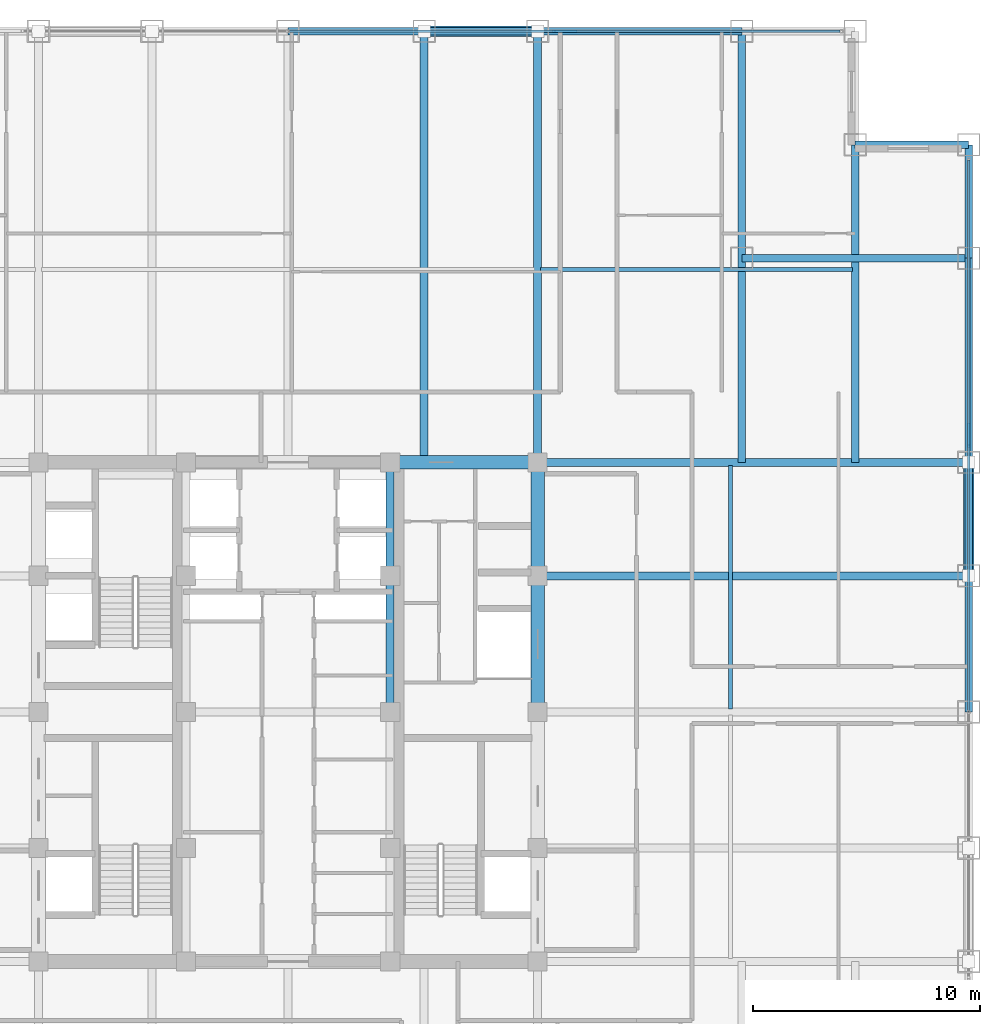
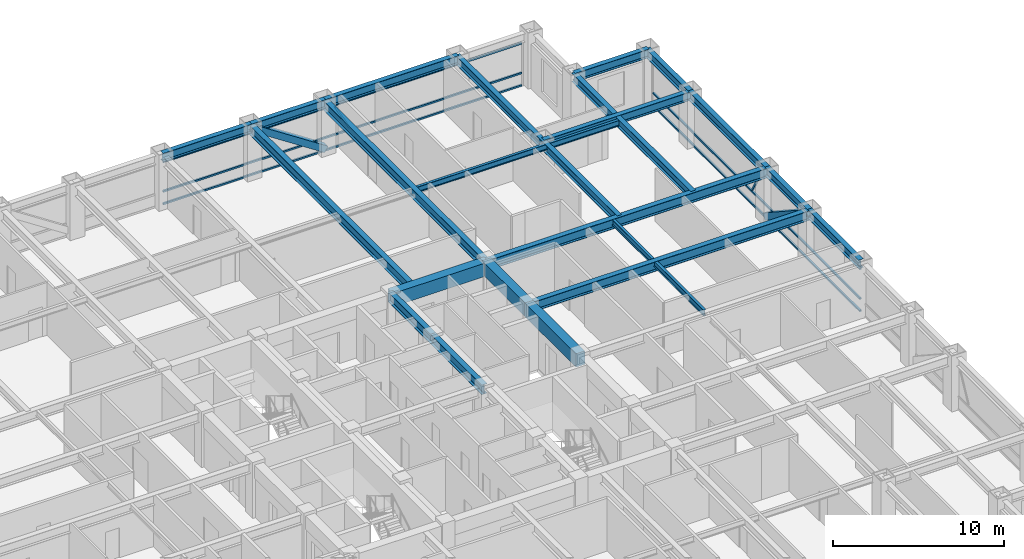
# One storey, part 17 of 25: 22 beams, 10 members, 2 elements without a shape of their own.
"""IFC4 building model written with IfcOpenShell, lengths in metres."""

from ifc_helpers import new_model, si_unit, direction, frame, origin, origin_2d, place, context, subcontext, project, spatial, rectangle, hollow_rectangle, i_section, extrude, source, transform, mapped, material, material_profile, profile_set, type_object, element, aggregate, save


model = new_model("IFC4")

# Units and contexts
model_context = context("Model", 3, precision=1e-05, world=origin(), true_north=direction((0.0, 1.0)))
body_context = subcontext(model_context, "Body", "Model", "MODEL_VIEW")
ifc_project = project(units=[si_unit("LENGTHUNIT", "METRE"), si_unit("AREAUNIT", "SQUARE_METRE"), si_unit("VOLUMEUNIT", "CUBIC_METRE"), si_unit("PLANEANGLEUNIT", "RADIAN"), si_unit("MASSUNIT", "GRAM", prefix="KILO")], contexts=[model_context])

# Site, building, storey
site_placement = place(None, origin())
site = spatial("IfcSite", under=ifc_project, at=site_placement, CompositionType="ELEMENT")
building_placement = place(site_placement, origin())
building = spatial("IfcBuilding", under=site, at=building_placement, Name="Khorayat Bourse Tower", CompositionType="ELEMENT")
storey_placement = place(building_placement, frame((0.0, 0.0, 223.10009765625)))
storey = spatial("IfcBuildingStorey", under=building, at=storey_placement, Name="L52", CompositionType="ELEMENT", Elevation=223.10009765625)

# Beams
ifc_material_1 = material(Name="Steel ASTM A992 Grade 50", Category="steel")
ifc_material_profile_1 = material_profile(ifc_material_1, i_section(OverallWidth=0.35498046875, OverallDepth=0.695068359375, WebThickness=0.015380859375, FlangeThickness=0.02490234375, FilletRadius=0.01806640625, at=origin_2d()), Name="W690X217")
ifc_profile_set_1 = profile_set([ifc_material_profile_1], Name="Steel ASTM A992 Grade 50")
beam_type_1 = type_object("IfcBeamType", Name="BM-GIRD-690", PredefinedType="BEAM", material=ifc_profile_set_1)
shared_shape_1 = source(origin(), body_context, "Body", "SweptSolid", [
    extrude(i_section(OverallWidth=0.35498046875, OverallDepth=0.695068359375, WebThickness=0.015380859375, FlangeThickness=0.02490234375, FilletRadius=0.01806640625, at=origin_2d()), origin(), (0.0, 0.0, 1.0), 5.0),
])
beam_1_placement = place(storey_placement, frame((4.5, 6.0, 3.432373046875), z_axis=(0.0, 1.0, 0.0), x_axis=(-1.0, 0.0, 0.0)))
element("IfcBeam", 1, at=beam_1_placement, inside=storey, type_object=beam_type_1, Name="L52 BM-GIRD-690 BM-L52-CRX-12", PredefinedType="BEAM", context=body_context, shape_type="MappedRepresentation", body=[
    mapped(shared_shape_1, transform((0.0, 0.0, 0.0), scale=1.0)),
])
shared_shape_2 = source(origin(), body_context, "Body", "SweptSolid", [
    extrude(i_section(OverallWidth=0.35498046875, OverallDepth=0.695068359375, WebThickness=0.015380859375, FlangeThickness=0.02490234375, FilletRadius=0.01806640625, at=origin_2d()), origin(), (0.0, 0.0, 1.0), 6.0),
])
beam_2_placement = place(storey_placement, frame((4.5, 0.0, 3.432373046875), z_axis=(0.0, 1.0, 0.0), x_axis=(-1.0, 0.0, 0.0)))
element("IfcBeam", 2, at=beam_2_placement, inside=storey, type_object=beam_type_1, Name="L52 BM-GIRD-690 BM-L52-CRX-11", PredefinedType="BEAM", context=body_context, shape_type="MappedRepresentation", body=[
    mapped(shared_shape_2, transform((0.0, 0.0, 0.0), scale=1.0)),
])
ifc_material_profile_2 = material_profile(ifc_material_1, i_section(OverallWidth=0.324951171875, OverallDepth=0.615966796875, WebThickness=0.013916015625, FlangeThickness=0.021484375, FilletRadius=0.01611328125, at=origin_2d()), Name="W610X174")
ifc_profile_set_2 = profile_set([ifc_material_profile_2], Name="Steel ASTM A992 Grade 50")
beam_type_2 = type_object("IfcBeamType", Name="BM-GIRD-610", PredefinedType="BEAM", material=ifc_profile_set_2)
shared_shape_3 = source(origin(), body_context, "Body", "SweptSolid", [
    extrude(i_section(OverallWidth=0.324951171875, OverallDepth=0.615966796875, WebThickness=0.013916015625, FlangeThickness=0.021484375, FilletRadius=0.01611328125, at=origin_2d()), origin(), (0.0, 0.0, 1.0), 19.0),
])
beam_3_placement = place(storey_placement, frame((20.0, 11.0, 3.471923828125), z_axis=(0.0, 1.0, 0.0), x_axis=(-1.0, 0.0, 0.0)))
element("IfcBeam", 3, at=beam_3_placement, inside=storey, type_object=beam_type_2, Name="L52 BM-GIRD-610 BM-L52-CNRY-087", PredefinedType="BEAM", context=body_context, shape_type="MappedRepresentation", body=[
    mapped(shared_shape_3, transform((0.0, 0.0, 0.0), scale=1.0)),
])
shared_shape_4 = source(origin(), body_context, "Body", "SweptSolid", [
    extrude(i_section(OverallWidth=0.324951171875, OverallDepth=0.615966796875, WebThickness=0.013916015625, FlangeThickness=0.021484375, FilletRadius=0.01611328125, at=origin_2d()), origin(), (0.0, 0.0, 1.0), 10.0),
])
beam_4_placement = place(storey_placement, frame((20.0, 20.0, 3.471923828125), z_axis=(1.0, 0.0, 0.0), x_axis=(0.0, 1.0, 0.0)))
element("IfcBeam", 4, at=beam_4_placement, inside=storey, type_object=beam_type_2, Name="L52 BM-GIRD-610 BM-L52-CNRX-094", PredefinedType="BEAM", context=body_context, shape_type="MappedRepresentation", body=[
    mapped(shared_shape_4, transform((0.0, 0.0, 0.0), scale=1.0)),
])
ifc_material_profile_3 = material_profile(ifc_material_1, i_section(OverallWidth=0.180908203125, OverallDepth=0.4169921875, WebThickness=0.010986328125, FlangeThickness=0.018310546875, FilletRadius=0.011962890625, at=origin_2d()), Name="W410X85")
ifc_profile_set_3 = profile_set([ifc_material_profile_3], Name="Steel ASTM A992 Grade 50")
beam_type_3 = type_object("IfcBeamType", Name="BM-JOIST-410", PredefinedType="JOIST", material=ifc_profile_set_3)
shared_shape_5 = source(origin(), body_context, "Body", "SweptSolid", [
    extrude(i_section(OverallWidth=0.180908203125, OverallDepth=0.4169921875, WebThickness=0.010986328125, FlangeThickness=0.018310546875, FilletRadius=0.011962890625, at=origin_2d()), origin(), (0.0, 0.0, 1.0), 10.740234375),
])
beam_5_placement = place(storey_placement, frame((19.5, 0.1298828125, 3.5712890625), z_axis=(0.0, 1.0, 0.0), x_axis=(-1.0, 0.0, 0.0)))
element("IfcBeam", 5, at=beam_5_placement, inside=storey, type_object=beam_type_3, Name="L52 BM-JOIST-410 BM-L52-JSTY-105", PredefinedType="JOIST", context=body_context, shape_type="MappedRepresentation", body=[
    mapped(shared_shape_5, transform((0.0, 0.0, 0.0), scale=1.0)),
])
ifc_material_profile_4 = material_profile(ifc_material_1, i_section(OverallWidth=0.324951171875, OverallDepth=0.615966796875, WebThickness=0.013916015625, FlangeThickness=0.021484375, FilletRadius=0.01611328125, at=origin_2d()), Name="W610X174")
ifc_profile_set_4 = profile_set([ifc_material_profile_4], Name="Steel ASTM A992 Grade 50")
beam_type_4 = type_object("IfcBeamType", Name="BM-SPAN-610", PredefinedType="SPANDREL", material=ifc_profile_set_4)
shared_shape_6 = source(origin(), body_context, "Body", "SweptSolid", [
    extrude(i_section(OverallWidth=0.324951171875, OverallDepth=0.615966796875, WebThickness=0.013916015625, FlangeThickness=0.021484375, FilletRadius=0.01611328125, at=origin_2d()), origin(), (0.0, 0.0, 1.0), 9.0),
])
for number, where, z_axis, x_axis, name in (
    (6, (30.0, 11.0, 3.471923828125), (0.0, 1.0, 0.0), (-1.0, 0.0, 0.0), "L52 BM-SPAN-610 BM-L52-SPN-040"),
    (7, (11.0, 30.0, 3.471923828125), (1.0, 0.0, 0.0), (0.0, 1.0, 0.0), "L52 BM-SPAN-610 BM-L52-SPN-045"),
):
    element("IfcBeam", number, at=place(storey_placement, frame(where, z_axis=z_axis, x_axis=x_axis)), inside=storey, type_object=beam_type_4, Name=name, PredefinedType="SPANDREL", context=body_context, shape_type="MappedRepresentation", body=[
        mapped(shared_shape_6, transform((0.0, 0.0, 0.0), scale=1.0)),
    ])
shared_shape_7 = source(origin(), body_context, "Body", "SweptSolid", [
    extrude(i_section(OverallWidth=0.324951171875, OverallDepth=0.615966796875, WebThickness=0.013916015625, FlangeThickness=0.021484375, FilletRadius=0.01611328125, at=origin_2d()), origin(), (0.0, 0.0, 1.0), 5.0),
])
for number, where, z_axis, x_axis, name in (
    (8, (30.0, 6.0, 3.471923828125), (0.0, 1.0, 0.0), (-1.0, 0.0, 0.0), "L52 BM-SPAN-610 BM-L52-SPN-039"),
    (9, (30.0, 20.0, 3.471923828125), (0.0, 1.0, 0.0), (-1.0, 0.0, 0.0), "L52 BM-SPAN-610 BM-L52-SPN-041"),
    (10, (25.0, 25.0, 3.471923828125), (1.0, 0.0, 0.0), (0.0, 1.0, 0.0), "L52 BM-SPAN-610 BM-L52-SPN-042"),
    (11, (6.0, 30.0, 3.471923828125), (1.0, 0.0, 0.0), (0.0, 1.0, 0.0), "L52 BM-SPAN-610 BM-L52-SPN-046"),
):
    element("IfcBeam", number, at=place(storey_placement, frame(where, z_axis=z_axis, x_axis=x_axis)), inside=storey, type_object=beam_type_4, Name=name, PredefinedType="SPANDREL", context=body_context, shape_type="MappedRepresentation", body=[
        mapped(shared_shape_7, transform((0.0, 0.0, 0.0), scale=1.0)),
    ])
shared_shape_8 = source(origin(), body_context, "Body", "SweptSolid", [
    extrude(i_section(OverallWidth=0.324951171875, OverallDepth=0.615966796875, WebThickness=0.013916015625, FlangeThickness=0.021484375, FilletRadius=0.01611328125, at=origin_2d()), origin(), (0.0, 0.0, 1.0), 6.0),
])
for number, where, z_axis, x_axis, name in (
    (12, (30.0, 0.0, 3.471923828125), (0.0, 1.0, 0.0), (-1.0, 0.0, 0.0), "L52 BM-SPAN-610 BM-L52-SPN-038"),
    (13, (0.0, 30.0, 3.471923828125), (1.0, 0.0, 0.0), (0.0, 1.0, 0.0), "L52 BM-SPAN-610 BM-L52-SPN-047"),
):
    element("IfcBeam", number, at=place(storey_placement, frame(where, z_axis=z_axis, x_axis=x_axis)), inside=storey, type_object=beam_type_4, Name=name, PredefinedType="SPANDREL", context=body_context, shape_type="MappedRepresentation", body=[
        mapped(shared_shape_8, transform((0.0, 0.0, 0.0), scale=1.0)),
    ])
ifc_material_2 = material(Name="Concrete C60/75", Category="concrete")
ifc_material_profile_5 = material_profile(ifc_material_2, rectangle(XDim=0.60009765625, YDim=0.949951171875, at=origin_2d()), Name="RC 600x950")
ifc_profile_set_5 = profile_set([ifc_material_profile_5], Name="Concrete C60/75")
beam_type_5 = type_object("IfcBeamType", Name="BM-COUP-950", PredefinedType="BEAM", material=ifc_profile_set_5)
shared_shape_9 = source(origin(), body_context, "Body", "SweptSolid", [
    extrude(rectangle(XDim=0.60009765625, YDim=0.949951171875, at=origin_2d()), origin(), (0.0, 0.0, 1.0), 5.0),
])
beam_6_placement = place(storey_placement, frame((11.0, 6.0, 3.304931640625), z_axis=(0.0, 1.0, 0.0), x_axis=(-1.0, 0.0, 0.0)))
element("IfcBeam", 14, at=beam_6_placement, inside=storey, type_object=beam_type_5, Name="L52 BM-COUP-950 BM-L52-CRX-16", PredefinedType="BEAM", context=body_context, shape_type="MappedRepresentation", body=[
    mapped(shared_shape_9, transform((0.0, 0.0, 0.0), scale=1.0)),
])
shared_shape_10 = source(origin(), body_context, "Body", "SweptSolid", [
    extrude(rectangle(XDim=0.60009765625, YDim=0.949951171875, at=origin_2d()), origin(), (0.0, 0.0, 1.0), 6.0),
])
beam_7_placement = place(storey_placement, frame((11.0, 0.0, 3.304931640625), z_axis=(0.0, 1.0, 0.0), x_axis=(-1.0, 0.0, 0.0)))
element("IfcBeam", 15, at=beam_7_placement, inside=storey, type_object=beam_type_5, Name="L52 BM-COUP-950 BM-L52-CRX-15", PredefinedType="BEAM", context=body_context, shape_type="MappedRepresentation", body=[
    mapped(shared_shape_10, transform((0.0, 0.0, 0.0), scale=1.0)),
])
shared_shape_11 = source(origin(), body_context, "Body", "SweptSolid", [
    extrude(rectangle(XDim=0.60009765625, YDim=0.949951171875, at=origin_2d()), origin(), (0.0, 0.0, 1.0), 6.5),
])
beam_8_placement = place(storey_placement, frame((4.5, 11.0, 3.304931640625), z_axis=(1.0, 0.0, 0.0), x_axis=(0.0, 1.0, 0.0)))
element("IfcBeam", 16, at=beam_8_placement, inside=storey, type_object=beam_type_5, Name="L52 BM-COUP-950 BM-L52-CRY-22", PredefinedType="BEAM", context=body_context, shape_type="MappedRepresentation", body=[
    mapped(shared_shape_11, transform((0.0, 0.0, 0.0), scale=1.0)),
])
shared_shape_12 = source(origin(), body_context, "Body", "SweptSolid", [
    extrude(i_section(OverallWidth=0.35498046875, OverallDepth=0.695068359375, WebThickness=0.015380859375, FlangeThickness=0.02490234375, FilletRadius=0.01806640625, at=origin_2d()), origin(), (0.0, 0.0, 1.0), 19.0),
])
for number, where, z_axis, x_axis, name in (
    (17, (6.0, 11.0, 3.432373046875), (0.0, 1.0, 0.0), (-1.0, 0.0, 0.0), "L52 BM-GIRD-690 BM-L52-RADY-070"),
    (18, (11.0, 11.0, 3.432373046875), (0.0, 1.0, 0.0), (-1.0, 0.0, 0.0), "L52 BM-GIRD-690 BM-L52-RADY-072"),
    (19, (11.0, 6.0, 3.432373046875), (1.0, 0.0, 0.0), (0.0, 1.0, 0.0), "L52 BM-GIRD-690 BM-L52-RADX-080"),
    (20, (11.0, 11.0, 3.432373046875), (1.0, 0.0, 0.0), (0.0, 1.0, 0.0), "L52 BM-GIRD-690 BM-L52-RADX-082"),
):
    element("IfcBeam", number, at=place(storey_placement, frame(where, z_axis=z_axis, x_axis=x_axis)), inside=storey, type_object=beam_type_1, Name=name, PredefinedType="BEAM", context=body_context, shape_type="MappedRepresentation", body=[
        mapped(shared_shape_12, transform((0.0, 0.0, 0.0), scale=1.0)),
    ])
shared_shape_13 = source(origin(), body_context, "Body", "SweptSolid", [
    extrude(i_section(OverallWidth=0.324951171875, OverallDepth=0.615966796875, WebThickness=0.013916015625, FlangeThickness=0.021484375, FilletRadius=0.01611328125, at=origin_2d()), origin(), (0.0, 0.0, 1.0), 14.0),
])
beam_9_placement = place(storey_placement, frame((25.0, 11.0, 3.471923828125), z_axis=(0.0, 1.0, 0.0), x_axis=(-1.0, 0.0, 0.0)))
element("IfcBeam", 21, at=beam_9_placement, inside=storey, type_object=beam_type_2, Name="L52 BM-GIRD-610 BM-L52-CNRY-091", PredefinedType="BEAM", context=body_context, shape_type="MappedRepresentation", body=[
    mapped(shared_shape_13, transform((0.0, 0.0, 0.0), scale=1.0)),
])
shared_shape_14 = source(origin(), body_context, "Body", "SweptSolid", [
    extrude(i_section(OverallWidth=0.180908203125, OverallDepth=0.4169921875, WebThickness=0.010986328125, FlangeThickness=0.018310546875, FilletRadius=0.011962890625, at=origin_2d()), origin(), (0.0, 0.0, 1.0), 13.740234375),
])
beam_10_placement = place(storey_placement, frame((11.1298828125, 19.5, 3.5712890625), z_axis=(1.0, 0.0, 0.0), x_axis=(0.0, 1.0, 0.0)))
element("IfcBeam", 22, at=beam_10_placement, inside=storey, type_object=beam_type_3, Name="L52 BM-JOIST-410 BM-L52-JSTX-101", PredefinedType="JOIST", context=body_context, shape_type="MappedRepresentation", body=[
    mapped(shared_shape_14, transform((0.0, 0.0, 0.0), scale=1.0)),
])

# Members
ifc_material_3 = material(Name="Steel EN 10025-4 S460M", Category="steel")
ifc_material_profile_6 = material_profile(ifc_material_3, hollow_rectangle(XDim=0.449951171875, YDim=0.449951171875, WallThickness=0.02490234375, at=origin_2d()), Name="HSS 450x450x25")
ifc_profile_set_6 = profile_set([ifc_material_profile_6], Name="Steel EN 10025-4 S460M")
member_type_1 = type_object("IfcMemberType", Name="MBR-TUBE-450", PredefinedType="BRACE", material=ifc_profile_set_6)
shared_shape_15 = source(origin(), body_context, "Body", "SweptSolid", [
    extrude(hollow_rectangle(XDim=0.449951171875, YDim=0.449951171875, WallThickness=0.02490234375, at=origin_2d()), origin(), (0.0, 0.0, 1.0), 5.979736328125),
])
for number, where, z_axis, x_axis, name in (
    (23, (6.0, 30.0, 3.52978515625), (0.836160261256, 0.0, -0.548485202623), (0.0, 1.0, 0.0), "L52 Perimeter Tube Brace 04"),
    (24, (30.0, 6.0, 3.52978515625), (0.0, 0.836160261256, -0.548485202623), (-1.0, 0.0, 0.0), "L52 Perimeter Tube Brace 08"),
):
    element("IfcMember", number, at=place(storey_placement, frame(where, z_axis=z_axis, x_axis=x_axis)), inside=storey, type_object=member_type_1, Name=name, PredefinedType="BRACE", context=body_context, shape_type="MappedRepresentation", body=[
        mapped(shared_shape_15, transform((0.0, 0.0, 0.0), scale=1.0)),
    ])

# Curtain wall, member
ifc_material_4 = material(Name="Aluminium EN AW-6063 T6", Category="aluminium")
curtain_wall_type = type_object("IfcCurtainWallType", Name="CW-SYS-03", PredefinedType="NOTDEFINED", material=ifc_material_4)
curtain_wall_1_placement = place(storey_placement, origin())
curtain_wall_1 = element("IfcCurtainWall", 25, at=curtain_wall_1_placement, inside=storey, type_object=curtain_wall_type, Name="L52 Curtain Wall CW-L52-N1", PredefinedType="NOTDEFINED")
ifc_material_profile_7 = material_profile(ifc_material_4, hollow_rectangle(XDim=0.1201171875, YDim=0.1201171875, WallThickness=0.0048828125, at=origin_2d()), Name="ALU 120x120x5")
ifc_profile_set_7 = profile_set([ifc_material_profile_7], Name="Aluminium EN AW-6063 T6")
member_type_2 = type_object("IfcMemberType", Name="CWM-DIAG-120", PredefinedType="MULLION", material=ifc_profile_set_7)
shared_shape_16 = source(origin(), body_context, "Body", "SweptSolid", [
    extrude(hollow_rectangle(XDim=0.1201171875, YDim=0.1201171875, WallThickness=0.0048828125, at=origin_2d()), origin(), (0.0, 0.0, 1.0), 2.079345703125),
])
member_1_placement = place(storey_placement, frame((12.67919921875, 30.0, 1.08984375), z_axis=(-0.465760949701, 0.0, 0.884910581773), x_axis=(0.0, -1.0, 0.0)))
member_1 = element("IfcMember", 26, at=member_1_placement, type_object=member_type_2, Name="CW-L52-N1 Faceted Diagonal Mullion 2", PredefinedType="MULLION", context=body_context, shape_type="MappedRepresentation", body=[
    mapped(shared_shape_16, transform((0.0, 0.0, 0.0), scale=1.0)),
])

curtain_wall_2_placement = place(storey_placement, origin())
curtain_wall_2 = element("IfcCurtainWall", 27, at=curtain_wall_2_placement, inside=storey, type_object=curtain_wall_type, Name="L52 Curtain Wall CW-L52-E1", PredefinedType="NOTDEFINED")
member_2_placement = place(storey_placement, frame((30.0, 12.67919921875, 1.08984375), z_axis=(0.0, -0.465760949701, 0.884910581773), x_axis=(1.0, 0.0, 0.0)))
member_2 = element("IfcMember", 28, at=member_2_placement, type_object=member_type_2, Name="CW-L52-E1 Faceted Diagonal Mullion 2", PredefinedType="MULLION", context=body_context, shape_type="MappedRepresentation", body=[
    mapped(shared_shape_16, transform((0.0, 0.0, 0.0), scale=1.0)),
])

# Member
ifc_material_profile_8 = material_profile(ifc_material_4, hollow_rectangle(XDim=0.1201171875, YDim=0.1201171875, WallThickness=0.0048828125, at=origin_2d()), Name="ALU 120x120x5")
ifc_profile_set_8 = profile_set([ifc_material_profile_8], Name="Aluminium EN AW-6063 T6")
member_type_3 = type_object("IfcMemberType", Name="CWT-HORZ-120", PredefinedType="USERDEFINED", material=ifc_profile_set_8)
shared_shape_17 = source(origin(), body_context, "Body", "SweptSolid", [
    extrude(hollow_rectangle(XDim=0.1201171875, YDim=0.1201171875, WallThickness=0.0048828125, at=origin_2d()), origin(), (0.0, 0.0, 1.0), 24.27001953125),
])
member_3_placement = place(storey_placement, frame((0.06005859375, 30.0, 0.059814453125), z_axis=(1.0, 0.0, 0.0), x_axis=(0.0, 1.0, 0.0)))
member_3 = element("IfcMember", 29, at=member_3_placement, type_object=member_type_3, Name="CW-L52-N1 Horizontal Transom 2-1", ObjectType="TRANSOM", PredefinedType="USERDEFINED", context=body_context, shape_type="MappedRepresentation", body=[
    mapped(shared_shape_17, transform((0.0, 0.0, 0.0), scale=1.0)),
])

member_4_placement = place(storey_placement, frame((0.06005859375, 30.0, 0.949951171875), z_axis=(1.0, 0.0, 0.0), x_axis=(0.0, 1.0, 0.0)))
member_4 = element("IfcMember", 30, at=member_4_placement, type_object=member_type_3, Name="CW-L52-N1 Horizontal Transom 2-2", ObjectType="TRANSOM", PredefinedType="USERDEFINED", context=body_context, shape_type="MappedRepresentation", body=[
    mapped(shared_shape_17, transform((0.0, 0.0, 0.0), scale=1.0)),
])

member_5_placement = place(storey_placement, frame((0.06005859375, 30.0, 3.06982421875), z_axis=(1.0, 0.0, 0.0), x_axis=(0.0, 1.0, 0.0)))
member_5 = element("IfcMember", 31, at=member_5_placement, type_object=member_type_3, Name="CW-L52-N1 Horizontal Transom 2-3", ObjectType="TRANSOM", PredefinedType="USERDEFINED", context=body_context, shape_type="MappedRepresentation", body=[
    mapped(shared_shape_17, transform((0.0, 0.0, 0.0), scale=1.0)),
])

aggregate(curtain_wall_1, [member_3, member_4, member_5, member_1])

member_6_placement = place(storey_placement, frame((30.0, 0.06005859375, 0.059814453125), z_axis=(0.0, 1.0, 0.0), x_axis=(-1.0, 0.0, 0.0)))
member_6 = element("IfcMember", 32, at=member_6_placement, type_object=member_type_3, Name="CW-L52-E1 Horizontal Transom 2-1", ObjectType="TRANSOM", PredefinedType="USERDEFINED", context=body_context, shape_type="MappedRepresentation", body=[
    mapped(shared_shape_17, transform((0.0, 0.0, 0.0), scale=1.0)),
])

member_7_placement = place(storey_placement, frame((30.0, 0.06005859375, 0.949951171875), z_axis=(0.0, 1.0, 0.0), x_axis=(-1.0, 0.0, 0.0)))
member_7 = element("IfcMember", 33, at=member_7_placement, type_object=member_type_3, Name="CW-L52-E1 Horizontal Transom 2-2", ObjectType="TRANSOM", PredefinedType="USERDEFINED", context=body_context, shape_type="MappedRepresentation", body=[
    mapped(shared_shape_17, transform((0.0, 0.0, 0.0), scale=1.0)),
])

member_8_placement = place(storey_placement, frame((30.0, 0.06005859375, 3.06982421875), z_axis=(0.0, 1.0, 0.0), x_axis=(-1.0, 0.0, 0.0)))
member_8 = element("IfcMember", 34, at=member_8_placement, type_object=member_type_3, Name="CW-L52-E1 Horizontal Transom 2-3", ObjectType="TRANSOM", PredefinedType="USERDEFINED", context=body_context, shape_type="MappedRepresentation", body=[
    mapped(shared_shape_17, transform((0.0, 0.0, 0.0), scale=1.0)),
])

aggregate(curtain_wall_2, [member_6, member_7, member_8, member_2])

save(model, "model.ifc")
